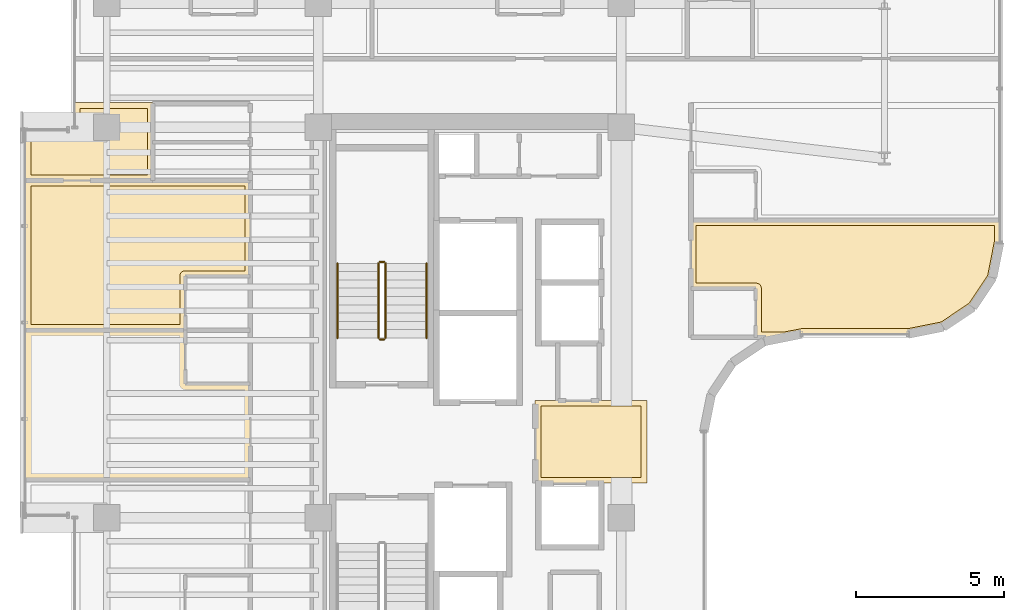
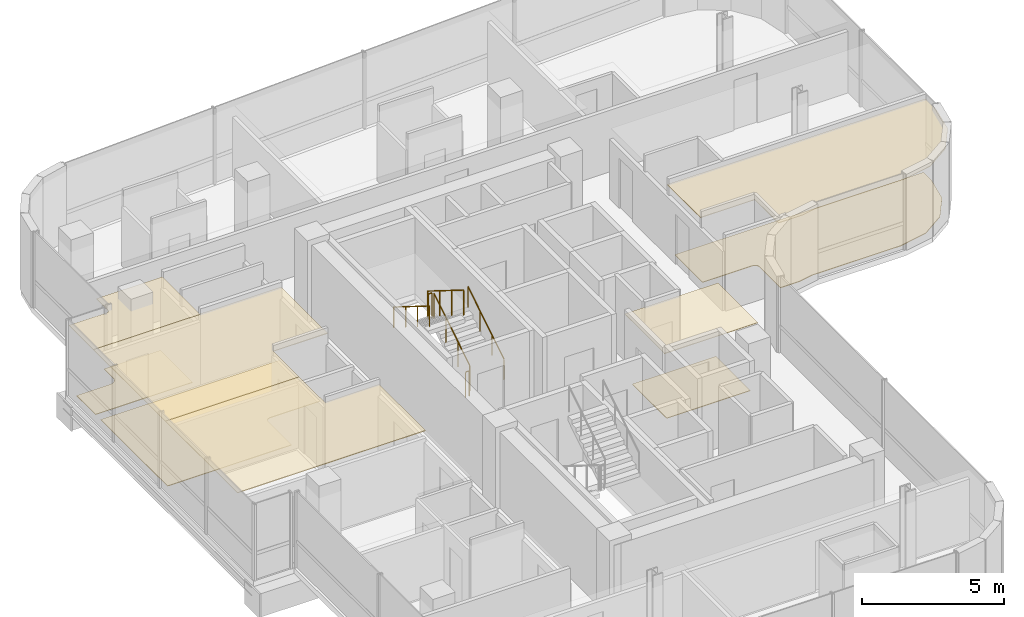
# One storey, part 21 of 22: 9 coverings, 6 railings.
"""IFC4 building model written with IfcOpenShell, lengths in metres."""

from ifc_helpers import new_model, si_unit, direction, frame, origin, origin_2d, place, context, subcontext, project, spatial, polyline, circle, outline, extrude, material, layer, layer_set, type_object, element, save


model = new_model("IFC4")

# Units and contexts
model_context = context("Model", 3, precision=1e-05, world=origin(), true_north=direction((0.0, 1.0)))
body_context = subcontext(model_context, "Body", "Model", "MODEL_VIEW")
ifc_project = project(units=[si_unit("LENGTHUNIT", "METRE"), si_unit("AREAUNIT", "SQUARE_METRE"), si_unit("VOLUMEUNIT", "CUBIC_METRE"), si_unit("PLANEANGLEUNIT", "RADIAN"), si_unit("MASSUNIT", "GRAM", prefix="KILO")], contexts=[model_context])

# Site, building, storey
site_placement = place(None, origin())
site = spatial("IfcSite", under=ifc_project, at=site_placement, CompositionType="ELEMENT")
building_placement = place(site_placement, origin())
building = spatial("IfcBuilding", under=site, at=building_placement, Name="Valdorenza Pilgrim Sanctuary Tower", CompositionType="ELEMENT")
storey_placement = place(building_placement, frame((0.0, 0.0, 212.5)))
storey = spatial("IfcBuildingStorey", under=building, at=storey_placement, Name="L54", CompositionType="ELEMENT", Elevation=212.5)

# Coverings
ifc_material_1 = material(Name="Micro-perforated acoustic mineral ceiling tile", Category="gypsum")
ifc_layer_1 = layer(ifc_material_1, 0.02490234375, Name="Micro-perforated acoustic mineral ceiling tile")
ifc_layer_set_1 = layer_set([ifc_layer_1], Name="Micro-perforated acoustic mineral ceiling tile")
covering_type_1 = type_object("IfcCoveringType", Name="COV-CLG-ACU", PredefinedType="CEILING", material=ifc_layer_set_1)
covering_1_placement = place(storey_placement, frame((0.0, 0.0, 2.9599609375)))
element("IfcCovering", 1, at=covering_1_placement, inside=storey, type_object=covering_type_1, Name="L54 Core A Passenger Lift Lobby Acoustic Ceiling", PredefinedType="CEILING", context=body_context, shape_type="SweptSolid", body=[
    extrude(outline(polyline([(-15.31494140625, 1.35009765625), (-15.31494140625, 1.3515625), (-15.314697265625, 1.352783203125), (-15.314453125, 1.3544921875), (-15.31396484375, 1.355712890625), (-15.313232421875, 1.357177734375), (-15.3125, 1.3583984375), (-15.3115234375, 1.359619140625), (-15.310546875, 1.360595703125), (-15.3095703125, 1.361572265625), (-15.308349609375, 1.362548828125), (-15.30712890625, 1.36328125), (-15.3056640625, 1.364013671875), (-15.304443359375, 1.364501953125), (-15.302978515625, 1.36474609375), (-15.301513671875, 1.364990234375), (-15.300048828125, 1.364990234375), (-11.550048828125, 1.364990234375), (-11.548583984375, 1.364990234375), (-11.547119140625, 1.36474609375), (-11.545654296875, 1.364501953125), (-11.544189453125, 1.364013671875), (-11.54296875, 1.36328125), (-11.541748046875, 1.362548828125), (-11.54052734375, 1.361572265625), (-11.539306640625, 1.360595703125), (-11.538330078125, 1.359619140625), (-11.53759765625, 1.3583984375), (-11.536865234375, 1.357177734375), (-11.5361328125, 1.355712890625), (-11.53564453125, 1.3544921875), (-11.535400390625, 1.352783203125), (-11.53515625, 1.3515625), (-11.534912109375, 1.35009765625), (-11.534912109375, -1.419921875), (-11.53515625, -1.42138671875), (-11.535400390625, -1.4228515625), (-11.53564453125, -1.42431640625), (-11.5361328125, -1.42578125), (-11.536865234375, -1.427001953125), (-11.53759765625, -1.42822265625), (-11.538330078125, -1.429443359375), (-11.539306640625, -1.4306640625), (-11.54052734375, -1.431640625), (-11.541748046875, -1.4326171875), (-11.54296875, -1.43310546875), (-11.544189453125, -1.433837890625), (-11.545654296875, -1.434326171875), (-11.547119140625, -1.434814453125), (-11.548583984375, -1.434814453125), (-11.550048828125, -1.43505859375), (-15.298095703125, -1.43505859375), (-15.299560546875, -1.434814453125), (-15.30078125, -1.434814453125), (-15.302490234375, -1.434326171875), (-15.3037109375, -1.433837890625), (-15.30517578125, -1.43310546875), (-15.306396484375, -1.4326171875), (-15.3076171875, -1.431640625), (-15.30859375, -1.4306640625), (-15.3095703125, -1.429443359375), (-15.310546875, -1.42822265625), (-15.311279296875, -1.427001953125), (-15.31201171875, -1.42578125), (-15.3125, -1.42431640625), (-15.312744140625, -1.4228515625), (-15.31298828125, -1.42138671875), (-15.31298828125, -1.419921875), (-15.31298828125, 1.244384765625), (-15.31298828125, 1.24462890625), (-15.313720703125, 1.24609375), (-15.314208984375, 1.24755859375), (-15.314697265625, 1.2490234375), (-15.31494140625, 1.25048828125), (-15.31494140625, 1.251953125), (-15.31494140625, 1.35009765625)])), origin(), (0.0, 0.0, 1.0), 0.025146484375),
])
covering_2_placement = place(storey_placement, frame((0.0, 0.0, 2.9599609375)))
element("IfcCovering", 2, at=covering_2_placement, inside=storey, type_object=covering_type_1, Name="L54 Pilgrim Scholar Office L54-WN Acoustic Ceiling", PredefinedType="CEILING", context=body_context, shape_type="SweptSolid", body=[
    extrude(outline(polyline([(-28.237060546875, 11.39453125), (-28.237060546875, 10.103759765625), (-28.23681640625, 10.10302734375), (-28.23681640625, 10.1015625), (-28.23681640625, 10.10009765625), (-28.23681640625, 10.098388671875), (-28.237060546875, 10.09814453125), (-28.237060546875, 8.800048828125), (-28.237060546875, 8.798583984375), (-28.2373046875, 8.797119140625), (-28.237548828125, 8.795654296875), (-28.238037109375, 8.794189453125), (-28.23876953125, 8.79296875), (-28.239501953125, 8.791748046875), (-28.240478515625, 8.79052734375), (-28.241455078125, 8.789306640625), (-28.242431640625, 8.788330078125), (-28.24365234375, 8.78759765625), (-28.244873046875, 8.786865234375), (-28.246337890625, 8.7861328125), (-28.24755859375, 8.78564453125), (-28.2490234375, 8.785400390625), (-28.25048828125, 8.78515625), (-28.251953125, 8.784912109375), (-32.5400390625, 8.784912109375), (-32.54150390625, 8.78515625), (-32.54296875, 8.785400390625), (-32.54443359375, 8.78564453125), (-32.545654296875, 8.7861328125), (-32.547119140625, 8.786865234375), (-32.54833984375, 8.78759765625), (-32.549560546875, 8.788330078125), (-32.550537109375, 8.789306640625), (-32.551513671875, 8.79052734375), (-32.552490234375, 8.791748046875), (-32.55322265625, 8.79296875), (-32.553955078125, 8.794189453125), (-32.554443359375, 8.795654296875), (-32.5546875, 8.797119140625), (-32.554931640625, 8.798583984375), (-32.554931640625, 8.800048828125), (-32.554931640625, 10.489990234375), (-32.554931640625, 10.491455078125), (-32.5546875, 10.492919921875), (-32.554443359375, 10.494384765625), (-32.553955078125, 10.49560546875), (-32.55322265625, 10.4970703125), (-32.552490234375, 10.498291015625), (-32.551513671875, 10.49951171875), (-32.550537109375, 10.50048828125), (-32.549560546875, 10.501708984375), (-32.54833984375, 10.50244140625), (-32.547119140625, 10.503173828125), (-32.545654296875, 10.50390625), (-32.54443359375, 10.50439453125), (-32.54296875, 10.504638671875), (-32.54150390625, 10.5048828125), (-32.5400390625, 10.5048828125), (-31.00048828125, 10.5048828125), (-30.99072265625, 10.505615234375), (-30.9814453125, 10.5068359375), (-30.972412109375, 10.509033203125), (-30.963623046875, 10.51220703125), (-30.955078125, 10.51611328125), (-30.947265625, 10.52099609375), (-30.939697265625, 10.526611328125), (-30.932861328125, 10.53271484375), (-30.926513671875, 10.539794921875), (-30.9208984375, 10.547119140625), (-30.916259765625, 10.55517578125), (-30.912109375, 10.563720703125), (-30.9091796875, 10.572509765625), (-30.90673828125, 10.58154296875), (-30.905517578125, 10.5908203125), (-30.905029296875, 10.600341796875), (-30.905029296875, 11.419921875), (-30.90478515625, 11.42138671875), (-30.90478515625, 11.4228515625), (-30.904296875, 11.42431640625), (-30.90380859375, 11.42578125), (-30.9033203125, 11.427001953125), (-30.902587890625, 11.42822265625), (-30.901611328125, 11.429443359375), (-30.900634765625, 11.4306640625), (-30.8994140625, 11.431640625), (-30.898193359375, 11.4326171875), (-30.897216796875, 11.43310546875), (-30.895751953125, 11.433837890625), (-30.894287109375, 11.434326171875), (-30.892822265625, 11.434814453125), (-30.8916015625, 11.434814453125), (-30.889892578125, 11.43505859375), (-28.25, 11.43505859375), (-28.24853515625, 11.434814453125), (-28.2470703125, 11.434814453125), (-28.24560546875, 11.434326171875), (-28.244384765625, 11.433837890625), (-28.242919921875, 11.43310546875), (-28.24169921875, 11.4326171875), (-28.240478515625, 11.431640625), (-28.239501953125, 11.4306640625), (-28.23828125, 11.429443359375), (-28.237548828125, 11.42822265625), (-28.23681640625, 11.427001953125), (-28.236083984375, 11.42578125), (-28.235595703125, 11.42431640625), (-28.2353515625, 11.4228515625), (-28.235107421875, 11.42138671875), (-28.235107421875, 11.419921875), (-28.235107421875, 11.402099609375), (-28.235107421875, 11.400390625), (-28.2353515625, 11.39892578125), (-28.235595703125, 11.3974609375), (-28.236083984375, 11.39599609375), (-28.23681640625, 11.394775390625), (-28.237060546875, 11.39453125)])), origin(), (0.0, 0.0, 1.0), 0.025146484375),
])
covering_3_placement = place(storey_placement, frame((0.0, 0.0, 2.9599609375)))
element("IfcCovering", 3, at=covering_3_placement, inside=storey, type_object=covering_type_1, Name="L54 Pilgrim Guest Room L54-W3 Acoustic Ceiling", PredefinedType="CEILING", context=body_context, shape_type="SweptSolid", body=[
    extrude(outline(polyline([(-32.554931640625, 3.7451171875), (-32.554931640625, 3.74658203125), (-32.5546875, 3.747802734375), (-32.554443359375, 3.74951171875), (-32.553955078125, 3.750732421875), (-32.55322265625, 3.752197265625), (-32.552490234375, 3.75341796875), (-32.551513671875, 3.75439453125), (-32.550537109375, 3.755615234375), (-32.549560546875, 3.756591796875), (-32.54833984375, 3.757568359375), (-32.547119140625, 3.75830078125), (-32.545654296875, 3.7587890625), (-32.54443359375, 3.759521484375), (-32.54296875, 3.759765625), (-32.54150390625, 3.760009765625), (-32.5400390625, 3.760009765625), (-27.152099609375, 3.760009765625), (-27.150390625, 3.760009765625), (-27.149169921875, 3.759765625), (-27.147705078125, 3.759521484375), (-27.146240234375, 3.7587890625), (-27.14501953125, 3.75830078125), (-27.143798828125, 3.757568359375), (-27.142578125, 3.756591796875), (-27.141357421875, 3.755615234375), (-27.140380859375, 3.75439453125), (-27.139404296875, 3.75341796875), (-27.138916015625, 3.752197265625), (-27.13818359375, 3.750732421875), (-27.1376953125, 3.74951171875), (-27.13720703125, 3.747802734375), (-27.13720703125, 3.74658203125), (-27.136962890625, 3.7451171875), (-27.136962890625, 1.93798828125), (-24.949951171875, 1.93798828125), (-24.948486328125, 1.93798828125), (-24.947021484375, 1.937744140625), (-24.945556640625, 1.9375), (-24.9443359375, 1.93701171875), (-24.94287109375, 1.936279296875), (-24.941650390625, 1.935546875), (-24.9404296875, 1.9345703125), (-24.939453125, 1.93359375), (-24.9384765625, 1.9326171875), (-24.9375, 1.931396484375), (-24.936767578125, 1.93017578125), (-24.93603515625, 1.9287109375), (-24.935546875, 1.927490234375), (-24.935302734375, 1.92578125), (-24.93505859375, 1.924560546875), (-24.93505859375, 1.923095703125), (-24.93505859375, -1.30810546875), (-24.93505859375, -1.3095703125), (-24.935302734375, -1.310791015625), (-24.935546875, -1.3125), (-24.93603515625, -1.313720703125), (-24.936767578125, -1.315185546875), (-24.9375, -1.31640625), (-24.9384765625, -1.3173828125), (-24.939453125, -1.318603515625), (-24.9404296875, -1.319580078125), (-24.941650390625, -1.320556640625), (-24.94287109375, -1.3212890625), (-24.9443359375, -1.322021484375), (-24.945556640625, -1.322509765625), (-24.947021484375, -1.32275390625), (-24.948486328125, -1.322998046875), (-24.949951171875, -1.322998046875), (-32.5400390625, -1.322998046875), (-32.54150390625, -1.322998046875), (-32.54296875, -1.32275390625), (-32.54443359375, -1.322509765625), (-32.545654296875, -1.322021484375), (-32.547119140625, -1.3212890625), (-32.54833984375, -1.320556640625), (-32.549560546875, -1.319580078125), (-32.550537109375, -1.318603515625), (-32.551513671875, -1.3173828125), (-32.552490234375, -1.31640625), (-32.55322265625, -1.315185546875), (-32.553955078125, -1.313720703125), (-32.554443359375, -1.3125), (-32.5546875, -1.310791015625), (-32.554931640625, -1.3095703125), (-32.554931640625, -1.30810546875), (-32.554931640625, 3.7451171875)])), origin(), (0.0, 0.0, 1.0), 0.025146484375),
])
covering_4_placement = place(storey_placement, frame((0.0, 0.0, 2.9599609375)))
element("IfcCovering", 4, at=covering_4_placement, inside=storey, type_object=covering_type_1, Name="L54 Pilgrim Guest Room L54-W4 Acoustic Ceiling", PredefinedType="CEILING", context=body_context, shape_type="SweptSolid", body=[
    extrude(outline(polyline([(-28.253662109375, 8.81298828125), (-28.253173828125, 8.81298828125), (-28.25146484375, 8.813232421875), (-28.25, 8.813232421875), (-28.24853515625, 8.81298828125), (-28.248291015625, 8.81298828125), (-24.949951171875, 8.81298828125), (-24.948486328125, 8.81298828125), (-24.947021484375, 8.812744140625), (-24.945556640625, 8.8125), (-24.9443359375, 8.81201171875), (-24.94287109375, 8.811279296875), (-24.941650390625, 8.810546875), (-24.9404296875, 8.8095703125), (-24.939453125, 8.80859375), (-24.9384765625, 8.8076171875), (-24.9375, 8.806396484375), (-24.936767578125, 8.80517578125), (-24.93603515625, 8.8037109375), (-24.935546875, 8.802490234375), (-24.935302734375, 8.80078125), (-24.93505859375, 8.799560546875), (-24.93505859375, 8.798095703125), (-24.93505859375, 5.56689453125), (-24.93505859375, 5.5654296875), (-24.935302734375, 5.564208984375), (-24.935546875, 5.5625), (-24.93603515625, 5.561279296875), (-24.936767578125, 5.559814453125), (-24.9375, 5.55859375), (-24.9384765625, 5.5576171875), (-24.939453125, 5.556396484375), (-24.9404296875, 5.555419921875), (-24.941650390625, 5.554443359375), (-24.94287109375, 5.5537109375), (-24.9443359375, 5.552978515625), (-24.945556640625, 5.552490234375), (-24.947021484375, 5.55224609375), (-24.948486328125, 5.552001953125), (-24.949951171875, 5.552001953125), (-27.136962890625, 5.552001953125), (-27.136962890625, 3.7470703125), (-27.13720703125, 3.74560546875), (-27.13720703125, 3.744140625), (-27.1376953125, 3.74267578125), (-27.13818359375, 3.7412109375), (-27.138916015625, 3.739990234375), (-27.139404296875, 3.73876953125), (-27.140380859375, 3.737548828125), (-27.141357421875, 3.736328125), (-27.142578125, 3.7353515625), (-27.143798828125, 3.734619140625), (-27.14501953125, 3.73388671875), (-27.146240234375, 3.733154296875), (-27.147705078125, 3.732666015625), (-27.149169921875, 3.732421875), (-27.150390625, 3.732177734375), (-27.152099609375, 3.73193359375), (-32.5400390625, 3.73193359375), (-32.54150390625, 3.732177734375), (-32.54296875, 3.732421875), (-32.54443359375, 3.732666015625), (-32.545654296875, 3.733154296875), (-32.547119140625, 3.73388671875), (-32.54833984375, 3.734619140625), (-32.549560546875, 3.7353515625), (-32.550537109375, 3.736328125), (-32.551513671875, 3.737548828125), (-32.552490234375, 3.73876953125), (-32.55322265625, 3.739990234375), (-32.553955078125, 3.7412109375), (-32.554443359375, 3.74267578125), (-32.5546875, 3.744140625), (-32.554931640625, 3.74560546875), (-32.554931640625, 3.7470703125), (-32.554931640625, 8.798095703125), (-32.554931640625, 8.799560546875), (-32.5546875, 8.80078125), (-32.554443359375, 8.802490234375), (-32.553955078125, 8.8037109375), (-32.55322265625, 8.80517578125), (-32.552490234375, 8.806396484375), (-32.551513671875, 8.8076171875), (-32.550537109375, 8.80859375), (-32.549560546875, 8.8095703125), (-32.54833984375, 8.810546875), (-32.547119140625, 8.811279296875), (-32.545654296875, 8.81201171875), (-32.54443359375, 8.8125), (-32.54296875, 8.812744140625), (-32.54150390625, 8.81298828125), (-32.5400390625, 8.81298828125), (-28.253662109375, 8.81298828125)])), origin(), (0.0, 0.0, 1.0), 0.025146484375),
])
covering_5_placement = place(storey_placement, frame((0.0, 0.0, 2.9599609375)))
element("IfcCovering", 5, at=covering_5_placement, inside=storey, type_object=covering_type_1, Name="L54 East Sanctuary Guest Room L54-E1 Acoustic Ceiling", PredefinedType="CEILING", context=body_context, shape_type="SweptSolid", body=[
    extrude(outline(polyline([(-7.863037109375, 5.136962890625), (-10.050048828125, 5.136962890625), (-10.051513671875, 5.13720703125), (-10.052978515625, 5.13720703125), (-10.054443359375, 5.1376953125), (-10.0556640625, 5.13818359375), (-10.05712890625, 5.138916015625), (-10.058349609375, 5.139404296875), (-10.0595703125, 5.140380859375), (-10.060546875, 5.141357421875), (-10.0615234375, 5.142578125), (-10.0625, 5.143798828125), (-10.063232421875, 5.14501953125), (-10.06396484375, 5.146240234375), (-10.064453125, 5.147705078125), (-10.064697265625, 5.149169921875), (-10.06494140625, 5.150390625), (-10.06494140625, 5.152099609375), (-10.06494140625, 7.4599609375), (-10.06494140625, 7.46142578125), (-10.064697265625, 7.462890625), (-10.064453125, 7.46435546875), (-10.06396484375, 7.4658203125), (-10.063232421875, 7.467041015625), (-10.0625, 7.46826171875), (-10.0615234375, 7.469482421875), (-10.060546875, 7.470703125), (-10.0595703125, 7.4716796875), (-10.058349609375, 7.472412109375), (-10.05712890625, 7.47314453125), (-10.0556640625, 7.473876953125), (-10.054443359375, 7.474365234375), (-10.052978515625, 7.474609375), (-10.051513671875, 7.474853515625), (-10.050048828125, 7.47509765625), (0.389892578125, 7.47509765625), (0.3916015625, 7.474853515625), (0.392822265625, 7.474609375), (0.394287109375, 7.474365234375), (0.395751953125, 7.473876953125), (0.397216796875, 7.47314453125), (0.398193359375, 7.472412109375), (0.3994140625, 7.4716796875), (0.400634765625, 7.470703125), (0.401611328125, 7.469482421875), (0.402587890625, 7.46826171875), (0.4033203125, 7.467041015625), (0.40380859375, 7.4658203125), (0.404296875, 7.46435546875), (0.40478515625, 7.462890625), (0.40478515625, 7.46142578125), (0.405029296875, 7.4599609375), (0.405029296875, 6.710693359375), (0.40478515625, 6.70947265625), (0.40478515625, 6.7080078125), (0.16748046875, 5.515380859375), (0.1669921875, 5.513916015625), (0.16650390625, 5.5126953125), (0.166015625, 5.51123046875), (0.165283203125, 5.510009765625), (-0.504150390625, 4.50830078125), (-0.5048828125, 4.507080078125), (-0.506103515625, 4.506103515625), (-0.507080078125, 4.5048828125), (-0.50830078125, 4.504150390625), (-1.510009765625, 3.834716796875), (-1.51123046875, 3.833984375), (-1.5126953125, 3.83349609375), (-1.513916015625, 3.8330078125), (-1.515380859375, 3.83251953125), (-2.7080078125, 3.59521484375), (-2.70947265625, 3.59521484375), (-2.710693359375, 3.594970703125), (-6.299560546875, 3.594970703125), (-6.309326171875, 3.594482421875), (-6.31884765625, 3.593017578125), (-6.86083984375, 3.4853515625), (-6.8623046875, 3.485107421875), (-6.86376953125, 3.485107421875), (-7.847900390625, 3.485107421875), (-7.849609375, 3.485107421875), (-7.850830078125, 3.4853515625), (-7.852294921875, 3.485595703125), (-7.853759765625, 3.486083984375), (-7.85498046875, 3.48681640625), (-7.856201171875, 3.487548828125), (-7.857421875, 3.48828125), (-7.858642578125, 3.489501953125), (-7.859619140625, 3.490478515625), (-7.860595703125, 3.49169921875), (-7.861083984375, 3.492919921875), (-7.86181640625, 3.494384765625), (-7.8623046875, 3.49560546875), (-7.86279296875, 3.4970703125), (-7.86279296875, 3.49853515625), (-7.863037109375, 3.5), (-7.863037109375, 5.136962890625)])), origin(), (0.0, 0.0, 1.0), 0.025146484375),
])
ifc_material_2 = material(Name="Engineered European oak timber flooring", Category="wood")
ifc_layer_2 = layer(ifc_material_2, 0.02197265625, Name="Engineered European oak timber flooring")
ifc_layer_set_2 = layer_set([ifc_layer_2], Name="Engineered European oak timber flooring")
covering_type_2 = type_object("IfcCoveringType", Name="COV-FLR-OAK", PredefinedType="FLOORING", material=ifc_layer_set_2)
covering_6_placement = place(storey_placement, origin())
element("IfcCovering", 6, at=covering_6_placement, inside=storey, type_object=covering_type_2, Name="L54 Pilgrim Guest Room L54-W4 Flooring", PredefinedType="FLOORING", context=body_context, shape_type="SweptSolid", body=[
    extrude(outline(polyline([(-28.250244140625, 8.617919921875), (-28.25, 8.617919921875), (-25.1298828125, 8.617919921875), (-25.1298828125, 5.7470703125), (-27.14990234375, 5.7470703125), (-27.15869140625, 5.746826171875), (-27.158935546875, 5.746826171875), (-27.176513671875, 5.7451171875), (-27.1767578125, 5.7451171875), (-27.194091796875, 5.74169921875), (-27.1943359375, 5.741455078125), (-27.211181640625, 5.736328125), (-27.21142578125, 5.736328125), (-27.227783203125, 5.7294921875), (-27.227783203125, 5.7294921875), (-27.243408203125, 5.72119140625), (-27.24365234375, 5.72119140625), (-27.25830078125, 5.711181640625), (-27.258544921875, 5.711181640625), (-27.272216796875, 5.699951171875), (-27.272216796875, 5.69970703125), (-27.284912109375, 5.687255859375), (-27.284912109375, 5.68701171875), (-27.296142578125, 5.673583984375), (-27.296142578125, 5.67333984375), (-27.30615234375, 5.65869140625), (-27.30615234375, 5.658447265625), (-27.314453125, 5.642822265625), (-27.314697265625, 5.642578125), (-27.3212890625, 5.62646484375), (-27.3212890625, 5.626220703125), (-27.326416015625, 5.609375), (-27.32666015625, 5.609130859375), (-27.330078125, 5.591796875), (-27.330078125, 5.591552734375), (-27.331787109375, 5.573974609375), (-27.331787109375, 5.57373046875), (-27.33203125, 5.56494140625), (-27.33203125, 3.927001953125), (-32.360107421875, 3.927001953125), (-32.360107421875, 8.617919921875), (-28.251953125, 8.617919921875), (-28.2509765625, 8.617919921875), (-28.250244140625, 8.617919921875)])), origin(), (0.0, 0.0, 1.0), 0.02490234375),
])
covering_7_placement = place(storey_placement, origin())
element("IfcCovering", 7, at=covering_7_placement, inside=storey, type_object=covering_type_2, Name="L54 East Sanctuary Guest Room L54-E1 Flooring", PredefinedType="FLOORING", context=body_context, shape_type="SweptSolid", body=[
    extrude(outline(polyline([(0.2099609375, 6.728515625), (-0.016845703125, 5.588623046875), (-0.646484375, 4.646484375), (-1.588623046875, 4.016845703125), (-2.728515625, 3.7900390625), (-6.300048828125, 3.7900390625), (-6.308837890625, 3.789794921875), (-6.319580078125, 3.789306640625), (-6.337158203125, 3.78759765625), (-6.347900390625, 3.785888671875), (-6.356689453125, 3.784423828125), (-6.881591796875, 3.679931640625), (-7.66796875, 3.679931640625), (-7.66796875, 5.14990234375), (-7.668212890625, 5.15869140625), (-7.668212890625, 5.158935546875), (-7.669921875, 5.176513671875), (-7.669921875, 5.1767578125), (-7.67333984375, 5.194091796875), (-7.673583984375, 5.1943359375), (-7.6787109375, 5.211181640625), (-7.6787109375, 5.21142578125), (-7.685302734375, 5.227783203125), (-7.685546875, 5.227783203125), (-7.69384765625, 5.243408203125), (-7.69384765625, 5.24365234375), (-7.703857421875, 5.25830078125), (-7.703857421875, 5.258544921875), (-7.715087890625, 5.272216796875), (-7.715087890625, 5.272216796875), (-7.727783203125, 5.284912109375), (-7.727783203125, 5.284912109375), (-7.741455078125, 5.296142578125), (-7.74169921875, 5.296142578125), (-7.75634765625, 5.30615234375), (-7.756591796875, 5.30615234375), (-7.772216796875, 5.314453125), (-7.772216796875, 5.314697265625), (-7.78857421875, 5.3212890625), (-7.788818359375, 5.3212890625), (-7.8056640625, 5.326416015625), (-7.805908203125, 5.32666015625), (-7.8232421875, 5.330078125), (-7.823486328125, 5.330078125), (-7.841064453125, 5.331787109375), (-7.84130859375, 5.331787109375), (-7.85009765625, 5.33203125), (-9.8701171875, 5.33203125), (-9.8701171875, 7.280029296875), (0.2099609375, 7.280029296875), (0.2099609375, 6.728515625)])), origin(), (0.0, 0.0, 1.0), 0.02490234375),
])
ifc_material_3 = material(Name="Honed travertine stone flooring", Category="masonry")
ifc_layer_3 = layer(ifc_material_3, 0.030029296875, Name="Honed travertine stone flooring")
ifc_layer_set_3 = layer_set([ifc_layer_3], Name="Honed travertine stone flooring")
covering_type_3 = type_object("IfcCoveringType", Name="COV-FLR-TRV", PredefinedType="FLOORING", material=ifc_layer_set_3)
covering_8_placement = place(storey_placement, origin())
element("IfcCovering", 8, at=covering_8_placement, inside=storey, type_object=covering_type_3, Name="L54 Core A Passenger Lift Lobby Flooring", PredefinedType="FLOORING", context=body_context, shape_type="SweptSolid", body=[
    extrude(outline(polyline([(-15.117919921875, 1.169921875), (-11.72998046875, 1.169921875), (-11.72998046875, -1.239990234375), (-15.117919921875, -1.239990234375), (-15.117919921875, 1.169921875)])), origin(), (0.0, 0.0, 1.0), 0.02490234375),
])
covering_9_placement = place(storey_placement, origin())
element("IfcCovering", 9, at=covering_9_placement, inside=storey, type_object=covering_type_3, Name="L54 Pilgrim Scholar Office L54-WN Flooring", PredefinedType="FLOORING", context=body_context, shape_type="SweptSolid", body=[
    extrude(outline(polyline([(-28.431884765625, 11.239990234375), (-28.431884765625, 10.10205078125), (-28.431884765625, 10.10107421875), (-28.431884765625, 10.100341796875), (-28.431884765625, 10.10009765625), (-28.431884765625, 8.97998046875), (-32.360107421875, 8.97998046875), (-32.360107421875, 10.31005859375), (-31.0, 10.31005859375), (-30.9912109375, 10.310302734375), (-30.98046875, 10.310791015625), (-30.962890625, 10.3125), (-30.9521484375, 10.314208984375), (-30.934814453125, 10.3173828125), (-30.92431640625, 10.320068359375), (-30.907470703125, 10.3251953125), (-30.897216796875, 10.328857421875), (-30.880859375, 10.335693359375), (-30.87109375, 10.34033203125), (-30.855712890625, 10.3486328125), (-30.84619140625, 10.35400390625), (-30.831787109375, 10.364013671875), (-30.822998046875, 10.370361328125), (-30.809326171875, 10.381591796875), (-30.80126953125, 10.388916015625), (-30.788818359375, 10.4013671875), (-30.781494140625, 10.4091796875), (-30.7705078125, 10.423095703125), (-30.763916015625, 10.431640625), (-30.754150390625, 10.4462890625), (-30.74853515625, 10.45556640625), (-30.740234375, 10.47119140625), (-30.735595703125, 10.48095703125), (-30.72900390625, 10.497314453125), (-30.725341796875, 10.50732421875), (-30.72021484375, 10.5244140625), (-30.717529296875, 10.534912109375), (-30.714111328125, 10.552001953125), (-30.71240234375, 10.562744140625), (-30.710693359375, 10.580322265625), (-30.710205078125, 10.59130859375), (-30.7099609375, 10.60009765625), (-30.7099609375, 11.239990234375), (-28.431884765625, 11.239990234375)])), origin(), (0.0, 0.0, 1.0), 0.02490234375),
])

# Railings
ifc_material_4 = material(Name="Stainless steel Grade 316", Category="steel")
railing_type_1 = type_object("IfcRailingType", Name="RLG-GRD-1120", PredefinedType="GUARDRAIL", material=ifc_material_4)
railing_1_placement = place(storey_placement, frame((-20.3701171875, 3.47998046875, 0.175048828125)))
element("IfcRailing", 10, at=railing_1_placement, inside=storey, type_object=railing_type_1, Name="L54 ST-A1 stair guard 1", PredefinedType="GUARDRAIL", context=body_context, shape_type="SweptSolid", body=[
    extrude(circle(Radius=0.02392578125, at=origin_2d()), frame((0.0, 0.0, 1.076171875), z_axis=(0.0, 0.848007534815, 0.529984170421), x_axis=(-1.0, 0.0, 0.0)), (0.0, 0.0, 1.0), 2.9716796875),
    extrude(circle(Radius=0.02099609375, at=origin_2d()), origin(), (0.0, 0.0, 1.0), 1.052001953125),
    extrude(circle(Radius=0.02099609375, at=origin_2d()), frame((0.0, 0.840087890625, 0.52490234375)), (0.0, 0.0, 1.0), 1.052001953125),
    extrude(circle(Radius=0.02099609375, at=origin_2d()), frame((0.0, 1.679931640625, 1.050048828125)), (0.0, 0.0, 1.0), 1.052001953125),
    extrude(circle(Radius=0.02099609375, at=origin_2d()), frame((0.0, 2.52001953125, 1.574951171875)), (0.0, 0.0, 1.0), 1.052001953125),
])
railing_2_placement = place(storey_placement, frame((-20.419921875, 6.050048828125, 1.75)))
element("IfcRailing", 11, at=railing_2_placement, inside=storey, type_object=railing_type_1, Name="L54 ST-A1 stair guard 2", PredefinedType="GUARDRAIL", context=body_context, shape_type="SweptSolid", body=[
    extrude(circle(Radius=0.02392578125, at=origin_2d()), frame((0.0, 0.0, 1.076171875), z_axis=(-1.0, 0.0, 0.0), x_axis=(0.0, -1.0, 0.0)), (0.0, 0.0, 1.0), 0.150146484375),
    extrude(circle(Radius=0.02099609375, at=origin_2d()), origin(), (0.0, 0.0, 1.0), 1.052001953125),
    extrude(circle(Radius=0.02099609375, at=origin_2d()), frame((-0.150146484375, 0.0, 0.0)), (0.0, 0.0, 1.0), 1.052001953125),
])
railing_3_placement = place(storey_placement, frame((-20.6201171875, 6.0, 1.925048828125)))
element("IfcRailing", 12, at=railing_3_placement, inside=storey, type_object=railing_type_1, Name="L54 ST-A1 stair guard 3", PredefinedType="GUARDRAIL", context=body_context, shape_type="SweptSolid", body=[
    extrude(circle(Radius=0.02392578125, at=origin_2d()), frame((0.0, 0.0, 1.076171875), z_axis=(0.0, -0.848007534815, 0.529984170421), x_axis=(1.0, 0.0, 0.0)), (0.0, 0.0, 1.0), 2.9716796875),
    extrude(circle(Radius=0.02099609375, at=origin_2d()), origin(), (0.0, 0.0, 1.0), 1.052001953125),
    extrude(circle(Radius=0.02099609375, at=origin_2d()), frame((0.0, -0.840087890625, 0.52490234375)), (0.0, 0.0, 1.0), 1.052001953125),
    extrude(circle(Radius=0.02099609375, at=origin_2d()), frame((0.0, -1.679931640625, 1.050048828125)), (0.0, 0.0, 1.0), 1.052001953125),
    extrude(circle(Radius=0.02099609375, at=origin_2d()), frame((0.0, -2.52001953125, 1.574951171875)), (0.0, 0.0, 1.0), 1.052001953125),
])
railing_4_placement = place(storey_placement, frame((-20.419921875, 3.429931640625, 0.0)))
element("IfcRailing", 13, at=railing_4_placement, inside=storey, type_object=railing_type_1, Name="L54 ST-A1 stair guard 4", PredefinedType="GUARDRAIL", context=body_context, shape_type="SweptSolid", body=[
    extrude(circle(Radius=0.02392578125, at=origin_2d()), frame((0.0, 0.0, 1.076171875), z_axis=(-1.0, 0.0, 0.0), x_axis=(0.0, -1.0, 0.0)), (0.0, 0.0, 1.0), 0.150146484375),
    extrude(circle(Radius=0.02099609375, at=origin_2d()), origin(), (0.0, 0.0, 1.0), 1.052001953125),
    extrude(circle(Radius=0.02099609375, at=origin_2d()), frame((-0.150146484375, 0.0, 0.0)), (0.0, 0.0, 1.0), 1.052001953125),
])
ifc_material_5 = material(Name="Brushed stainless steel Grade 316", Category="steel")
railing_type_2 = type_object("IfcRailingType", Name="RLG-HND-920", PredefinedType="HANDRAIL", material=ifc_material_5)
railing_5_placement = place(storey_placement, frame((-18.989990234375, 3.47998046875, 0.175048828125)))
element("IfcRailing", 14, at=railing_5_placement, inside=storey, type_object=railing_type_2, Name="L54 ST-A1 stair handrail 1", PredefinedType="HANDRAIL", context=body_context, shape_type="SweptSolid", body=[
    extrude(circle(Radius=0.02392578125, at=origin_2d()), frame((0.0, 0.0, 0.8759765625), z_axis=(0.0, 0.848007534815, 0.529984170421), x_axis=(-1.0, 0.0, 0.0)), (0.0, 0.0, 1.0), 2.9716796875),
    extrude(circle(Radius=0.02099609375, at=origin_2d()), origin(), (0.0, 0.0, 1.0), 0.851806640625),
    extrude(circle(Radius=0.02099609375, at=origin_2d()), frame((0.0, 0.840087890625, 0.52490234375)), (0.0, 0.0, 1.0), 0.851806640625),
    extrude(circle(Radius=0.02099609375, at=origin_2d()), frame((0.0, 1.679931640625, 1.050048828125)), (0.0, 0.0, 1.0), 0.851806640625),
    extrude(circle(Radius=0.02099609375, at=origin_2d()), frame((0.0, 2.52001953125, 1.574951171875)), (0.0, 0.0, 1.0), 0.851806640625),
])
railing_6_placement = place(storey_placement, frame((-22.0, 6.0, 1.925048828125)))
element("IfcRailing", 15, at=railing_6_placement, inside=storey, type_object=railing_type_2, Name="L54 ST-A1 stair handrail 2", PredefinedType="HANDRAIL", context=body_context, shape_type="SweptSolid", body=[
    extrude(circle(Radius=0.02392578125, at=origin_2d()), frame((0.0, 0.0, 0.8759765625), z_axis=(0.0, -0.848007534815, 0.529984170421), x_axis=(1.0, 0.0, 0.0)), (0.0, 0.0, 1.0), 2.9716796875),
    extrude(circle(Radius=0.02099609375, at=origin_2d()), origin(), (0.0, 0.0, 1.0), 0.851806640625),
    extrude(circle(Radius=0.02099609375, at=origin_2d()), frame((0.0, -0.840087890625, 0.52490234375)), (0.0, 0.0, 1.0), 0.851806640625),
    extrude(circle(Radius=0.02099609375, at=origin_2d()), frame((0.0, -1.679931640625, 1.050048828125)), (0.0, 0.0, 1.0), 0.851806640625),
    extrude(circle(Radius=0.02099609375, at=origin_2d()), frame((0.0, -2.52001953125, 1.574951171875)), (0.0, 0.0, 1.0), 0.851806640625),
])

save(model, "model.ifc")
